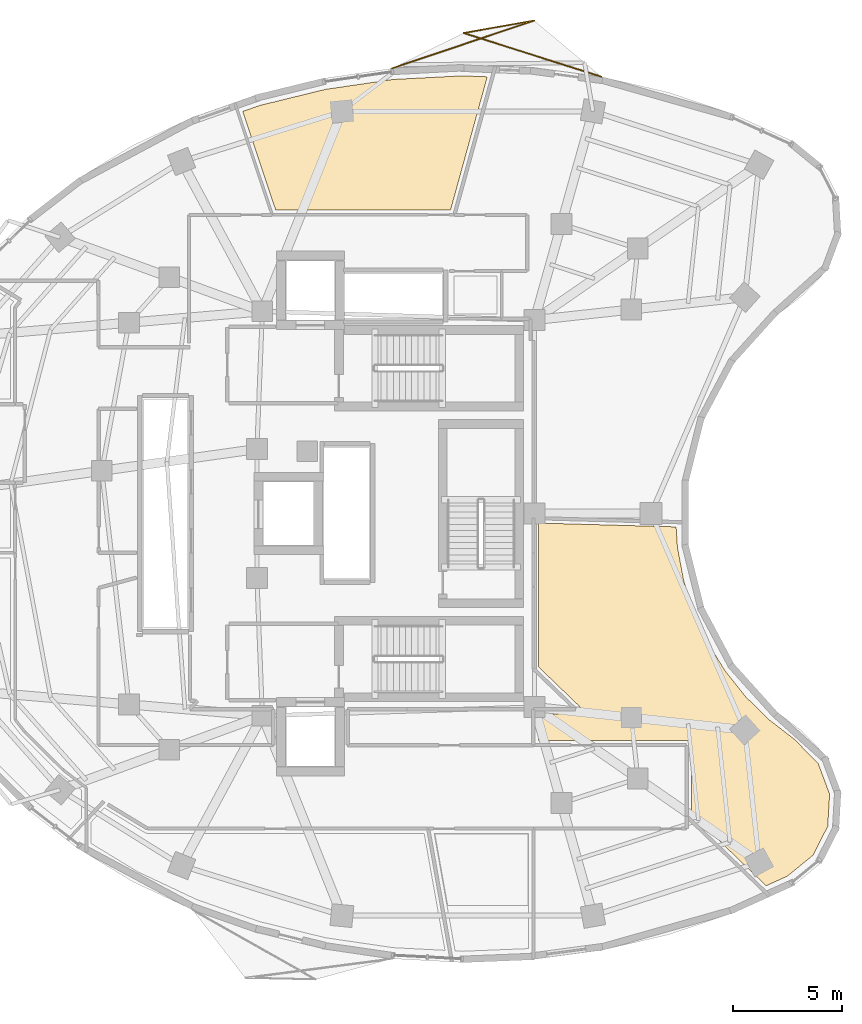
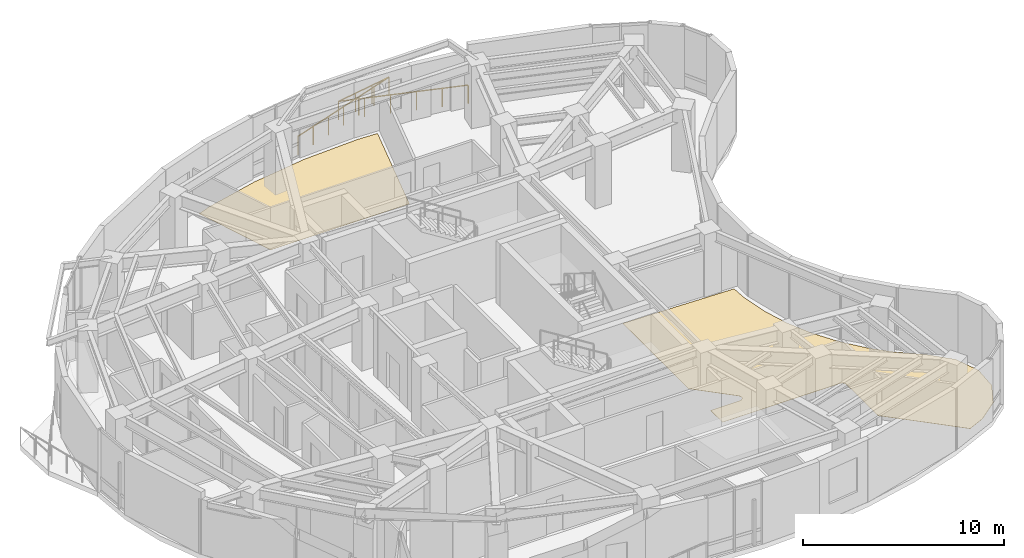
# One storey, part 13 of 13: 2 coverings, 1 railing.
"""IFC4 building model written with IfcOpenShell, lengths in metres."""

from ifc_helpers import new_model, si_unit, direction, frame, origin, origin_2d, place, context, subcontext, project, spatial, polyline, rectangle, outline, extrude, material, layer, layer_set, type_object, element, save


model = new_model("IFC4")

# Units and contexts
model_context = context("Model", 3, precision=1e-05, world=origin(), true_north=direction((0.0, 1.0)))
body_context = subcontext(model_context, "Body", "Model", "MODEL_VIEW")
ifc_project = project(units=[si_unit("LENGTHUNIT", "METRE"), si_unit("AREAUNIT", "SQUARE_METRE"), si_unit("VOLUMEUNIT", "CUBIC_METRE"), si_unit("PLANEANGLEUNIT", "RADIAN"), si_unit("MASSUNIT", "GRAM", prefix="KILO")], contexts=[model_context])

# Site, building, storey
site_placement = place(None, origin())
site = spatial("IfcSite", under=ifc_project, at=site_placement, CompositionType="ELEMENT")
building_placement = place(site_placement, origin())
building = spatial("IfcBuilding", under=site, at=building_placement, Name="Korentha Bioscience Tower", CompositionType="ELEMENT")
storey_placement = place(building_placement, frame((0.0, 0.0, 162.60009765625)))
storey = spatial("IfcBuildingStorey", under=building, at=storey_placement, Name="L37", CompositionType="ELEMENT", Elevation=162.60009765625)

# Railing
ifc_material_1 = material(Name="Laminated Tempered Safety Glass", Category="glass")
railing_type = type_object("IfcRailingType", Name="Laminated Glass Balcony Guardrail 1150", PredefinedType="BALUSTRADE", material=ifc_material_1)
railing_placement = place(storey_placement, frame((40.608154296875, 46.978515625, 0.0)))
element("IfcRailing", 1, at=railing_placement, inside=storey, type_object=railing_type, Name="L37 Balcony Guardrail 01", PredefinedType="BALUSTRADE", context=body_context, shape_type="SweptSolid", body=[
    extrude(rectangle(XDim=0.048095703125, YDim=0.048095703125, at=origin_2d()), frame((0.0, 0.0, 1.1259765625), z_axis=(-0.953172040784, 0.302428604249, 0.0), x_axis=(-0.302428604249, -0.953172040784, 0.0)), (0.0, 0.0, 1.0), 6.618896484375),
    extrude(rectangle(XDim=0.048095703125, YDim=0.048095703125, at=origin_2d()), frame((-6.308837890625, 2.001708984375, 1.1259765625), z_axis=(0.984798526591, 0.173700495176, 0.0), x_axis=(-0.173700495176, 0.984798526591, 0.0)), (0.0, 0.0, 1.0), 3.283203125),
    extrude(rectangle(XDim=0.048095703125, YDim=0.048095703125, at=origin_2d()), frame((-3.075439453125, 2.572021484375, 1.1259765625), z_axis=(-0.947727750915, -0.319080099891, 0.0), x_axis=(0.319080099891, -0.947727750915, 0.0)), (0.0, 0.0, 1.0), 6.8525390625),
    extrude(rectangle(XDim=0.0419921875, YDim=0.0419921875, at=origin_2d()), origin(), (0.0, 0.0, 1.0), 1.101806640625),
    extrude(rectangle(XDim=0.0419921875, YDim=0.0419921875, at=origin_2d()), frame((-1.26171875, 0.400390625, 0.0)), (0.0, 0.0, 1.0), 1.101806640625),
    extrude(rectangle(XDim=0.0419921875, YDim=0.0419921875, at=origin_2d()), frame((-2.5234375, 0.80078125, 0.0)), (0.0, 0.0, 1.0), 1.101806640625),
    extrude(rectangle(XDim=0.0419921875, YDim=0.0419921875, at=origin_2d()), frame((-3.785400390625, 1.200927734375, 0.0)), (0.0, 0.0, 1.0), 1.101806640625),
    extrude(rectangle(XDim=0.0419921875, YDim=0.0419921875, at=origin_2d()), frame((-5.047119140625, 1.601318359375, 0.0)), (0.0, 0.0, 1.0), 1.101806640625),
    extrude(rectangle(XDim=0.0419921875, YDim=0.0419921875, at=origin_2d()), frame((-6.308837890625, 2.001708984375, 0.0)), (0.0, 0.0, 1.0), 1.101806640625),
    extrude(rectangle(XDim=0.0419921875, YDim=0.0419921875, at=origin_2d()), frame((-5.23095703125, 2.19189453125, 0.0)), (0.0, 0.0, 1.0), 1.101806640625),
    extrude(rectangle(XDim=0.0419921875, YDim=0.0419921875, at=origin_2d()), frame((-4.1533203125, 2.3818359375, 0.0)), (0.0, 0.0, 1.0), 1.101806640625),
    extrude(rectangle(XDim=0.0419921875, YDim=0.0419921875, at=origin_2d()), frame((-3.075439453125, 2.572021484375, 0.0)), (0.0, 0.0, 1.0), 1.101806640625),
    extrude(rectangle(XDim=0.0419921875, YDim=0.0419921875, at=origin_2d()), frame((-4.15771484375, 2.20751953125, 0.0)), (0.0, 0.0, 1.0), 1.101806640625),
    extrude(rectangle(XDim=0.0419921875, YDim=0.0419921875, at=origin_2d()), frame((-5.240234375, 1.84326171875, 0.0)), (0.0, 0.0, 1.0), 1.101806640625),
    extrude(rectangle(XDim=0.0419921875, YDim=0.0419921875, at=origin_2d()), frame((-6.32275390625, 1.478759765625, 0.0)), (0.0, 0.0, 1.0), 1.101806640625),
    extrude(rectangle(XDim=0.0419921875, YDim=0.0419921875, at=origin_2d()), frame((-7.405029296875, 1.1142578125, 0.0)), (0.0, 0.0, 1.0), 1.101806640625),
    extrude(rectangle(XDim=0.0419921875, YDim=0.0419921875, at=origin_2d()), frame((-8.4873046875, 0.75, 0.0)), (0.0, 0.0, 1.0), 1.101806640625),
    extrude(rectangle(XDim=0.0419921875, YDim=0.0419921875, at=origin_2d()), frame((-9.56982421875, 0.385498046875, 0.0)), (0.0, 0.0, 1.0), 1.101806640625),
])

# Coverings
ifc_material_2 = material(Name="Chemical-Resistant Epoxy Resin", Category="polymer")
ifc_layer = layer(ifc_material_2, 0.011962890625, Name="Chemical-Resistant Epoxy Resin")
ifc_layer_set = layer_set([ifc_layer], Name="Chemical-Resistant Epoxy Resin (FL-EPX)")
covering_type = type_object("IfcCoveringType", Name="Seamless Epoxy Laboratory Flooring 12", PredefinedType="FLOORING", material=ifc_layer_set)
covering_1_placement = place(storey_placement, origin())
element("IfcCovering", 2, at=covering_1_placement, inside=storey, type_object=covering_type, Name="L37 Incubator and Bioreactor Suite 07 Floor Finish", PredefinedType="FLOORING", context=body_context, shape_type="SweptSolid", body=[
    extrude(outline(polyline([(44.025146484375, 26.389404296875), (44.085205078125, 25.45361328125), (44.36669921875, 23.94970703125), (44.8271484375, 22.497802734375), (45.46630859375, 21.1015625), (46.26318359375, 19.8056640625), (47.21630859375, 18.61083984375), (48.28173828125, 17.564208984375), (49.4521484375, 16.662841796875), (50.52978515625, 15.55224609375), (51.04541015625, 14.16748046875), (50.96044921875, 12.6923828125), (50.289306640625, 11.376220703125), (49.114013671875, 10.415283203125), (48.141845703125, 9.97412109375), (44.73681640625, 13.250732421875), (44.729736328125, 16.410888671875), (44.697509765625, 16.517822265625), (44.61865234375, 16.596923828125), (44.5, 16.6298828125), (37.72802734375, 16.6298828125), (37.72802734375, 17.827880859375), (39.44873046875, 17.830322265625), (39.512451171875, 17.849853515625), (39.582763671875, 17.902587890625), (39.62744140625, 17.978515625), (39.6396484375, 18.0439453125), (39.62548828125, 18.130859375), (39.578857421875, 18.205810546875), (37.72216796875, 19.992919921875), (37.72216796875, 26.565673828125), (44.025146484375, 26.389404296875)])), origin(), (0.0, 0.0, 1.0), 0.011962890625),
])
covering_2_placement = place(storey_placement, origin())
element("IfcCovering", 3, at=covering_2_placement, inside=storey, type_object=covering_type, Name="L37 Biostatistics Research Office 09 Floor Finish", PredefinedType="FLOORING", context=body_context, shape_type="SweptSolid", body=[
    extrude(outline(polyline([(31.088623046875, 46.85595703125), (34.243896484375, 47.02099609375), (35.385986328125, 46.974853515625), (33.707763671875, 40.882568359375), (25.710205078125, 40.880126953125), (24.2001953125, 45.393310546875), (24.972412109375, 45.66455078125), (27.983154296875, 46.401611328125), (31.088623046875, 46.85595703125)])), origin(), (0.0, 0.0, 1.0), 0.011962890625),
])

save(model, "model.ifc")
